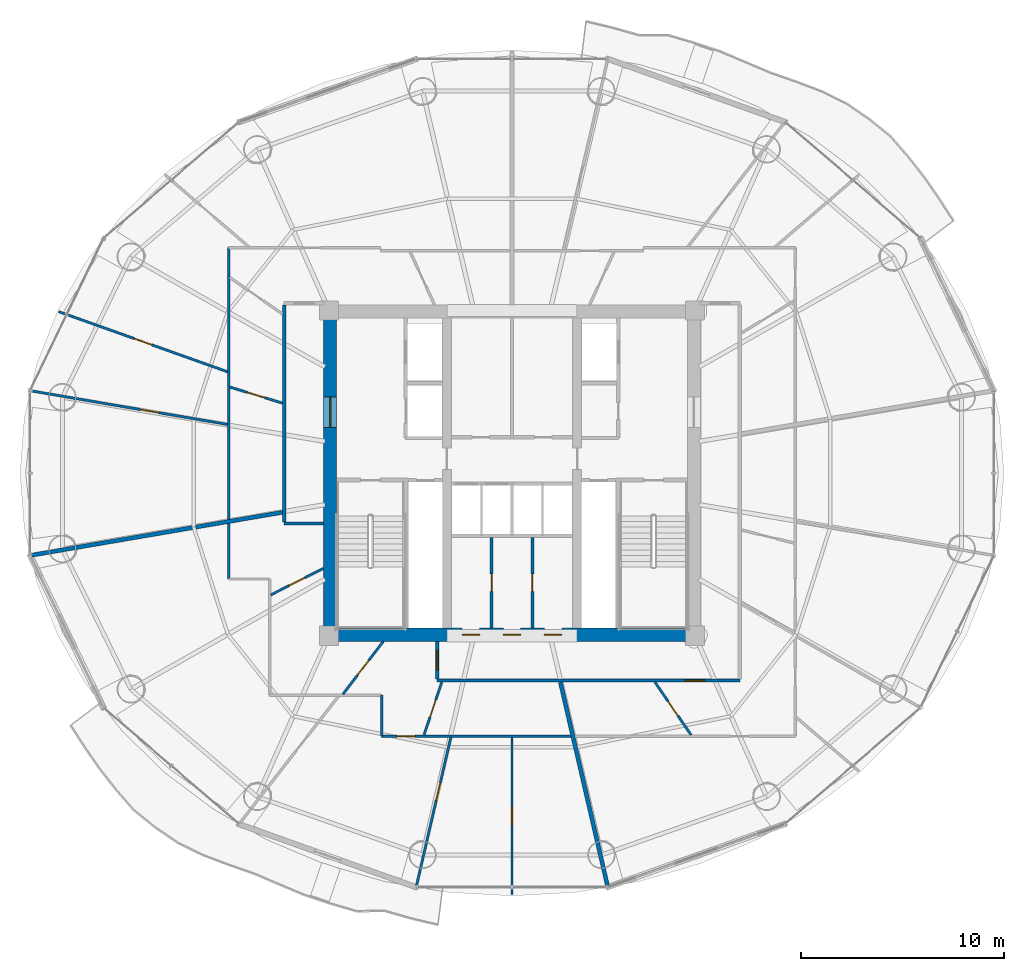
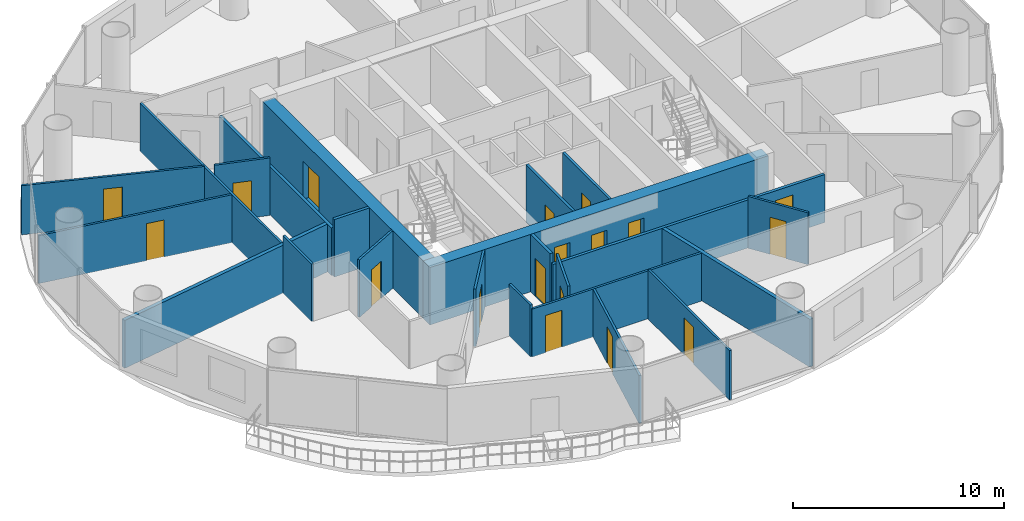
# One storey, part 20 of 26: 23 walls, 18 doors, 18 openings.
"""IFC4 building model written with IfcOpenShell, lengths in metres."""

from ifc_helpers import new_model, si_unit, direction, frame, frame_2d, origin, place, context, subcontext, project, spatial, rectangle, extrude, source, transform, mapped, material, layer, layer_set, type_object, element, fill, save


model = new_model("IFC4")

# Units and contexts
model_context = context("Model", 3, precision=1e-05, world=origin(), true_north=direction((-0.2419218956, 0.970295726276)))
body_context = subcontext(model_context, "Body", "Model", "MODEL_VIEW")
ifc_project = project(units=[si_unit("LENGTHUNIT", "METRE"), si_unit("AREAUNIT", "SQUARE_METRE"), si_unit("VOLUMEUNIT", "CUBIC_METRE"), si_unit("PLANEANGLEUNIT", "RADIAN"), si_unit("MASSUNIT", "GRAM", prefix="KILO")], contexts=[model_context])

# Site, building, storey
site_placement = place(None, origin())
site = spatial("IfcSite", under=ifc_project, at=site_placement, CompositionType="ELEMENT")
building_placement = place(site_placement, origin())
building = spatial("IfcBuilding", under=site, at=building_placement, Name="Cobrevalo Terracotta Tower", CompositionType="ELEMENT")
storey_placement = place(building_placement, frame((0.0, 0.0, 135.39990234375)))
storey = spatial("IfcBuildingStorey", under=building, at=storey_placement, Name="L35", CompositionType="ELEMENT", Elevation=135.39990234375)

# Wall, openings, doors
ifc_material_1 = material(Name="Concrete C55", Category="concrete")
ifc_layer_1 = layer(ifc_material_1, 0.64990234375)
ifc_layer_set_1 = layer_set([ifc_layer_1], Name="Concrete C55")
wall_type_1 = type_object("IfcWallType", Name="Core shear wall 650 mm Concrete C55", PredefinedType="SHEAR", material=ifc_layer_set_1)
wall_1_placement = place(storey_placement, frame((28.72509765625, 18.85009765625, 0.0), z_axis=(0.0, 0.0, 1.0), x_axis=(1.0, 0.0, 0.0)))
wall_1 = element("IfcWall", 1, at=wall_1_placement, inside=storey, type_object=wall_type_1, Name="L35 south core shear wall", PredefinedType="SHEAR", context=body_context, shape_type="SweptSolid", body=[
    extrude(rectangle(XDim=18.5498046875, YDim=0.64990234375, at=frame_2d((9.27490234375, 0.0))), origin(), (0.0, 0.0, 1.0), 3.330078125),
])
opening_1_placement = place(wall_1_placement, frame((6.827392578125, 0.0, 0.0)))
opening_1 = element("IfcOpeningElement", 2, at=opening_1_placement, cuts=wall_1, Name="Opening ID-22", PredefinedType="OPENING", context=body_context, shape_type="SweptSolid", body=[
    extrude(rectangle(XDim=0.85009765625, YDim=2.10009765625, at=frame_2d((0.425048828125, 1.050048828125))), frame((0.0, 0.3349609375, 0.0), z_axis=(0.0, -1.0, 0.0), x_axis=(1.0, 0.0, 0.0)), (0.0, 0.0, 1.0), 0.669921875),
])
opening_2_placement = place(wall_1_placement, frame((8.85009765625, 0.0, 0.0)))
opening_2 = element("IfcOpeningElement", 3, at=opening_2_placement, cuts=wall_1, Name="Opening ID-22", PredefinedType="OPENING", context=body_context, shape_type="SweptSolid", body=[
    extrude(rectangle(XDim=0.85009765625, YDim=2.10009765625, at=frame_2d((0.425048828125, 1.050048828125))), frame((0.0, 0.3349609375, 0.0), z_axis=(0.0, -1.0, 0.0), x_axis=(1.0, 0.0, 0.0)), (0.0, 0.0, 1.0), 0.669921875),
])
opening_3_placement = place(wall_1_placement, frame((10.87255859375, 0.0, 0.0)))
opening_3 = element("IfcOpeningElement", 4, at=opening_3_placement, cuts=wall_1, Name="Opening ID-22", PredefinedType="OPENING", context=body_context, shape_type="SweptSolid", body=[
    extrude(rectangle(XDim=0.85009765625, YDim=2.10009765625, at=frame_2d((0.425048828125, 1.050048828125))), frame((0.0, 0.3349609375, 0.0), z_axis=(0.0, -1.0, 0.0), x_axis=(1.0, 0.0, 0.0)), (0.0, 0.0, 1.0), 0.669921875),
])
ifc_material_2 = material(Name="Powder-coated steel", Category="steel")
door_type_1 = type_object("IfcDoorType", Name="Riser shaft & meter closet fire access door 850x2100 EI 60", OperationType="NOTDEFINED", PredefinedType="DOOR", material=ifc_material_2)
shared_shape_1 = source(origin(), body_context, "Body", "SweptSolid", [
    extrude(rectangle(XDim=0.85009765625, YDim=2.10009765625, at=frame_2d((0.425048828125, 1.050048828125))), frame((0.0, 0.02490234375, 0.0), z_axis=(0.0, -1.0, 0.0), x_axis=(1.0, 0.0, 0.0)), (0.0, 0.0, 1.0), 0.050048828125),
])
door_1_placement = place(opening_1_placement, origin())
door_1 = element("IfcDoor", 5, at=door_1_placement, inside=storey, type_object=door_type_1, Name="L35 core south plant door HVAC Supply Air Plant", OperationType="SINGLE_SWING_RIGHT", OverallHeight=2.10009765625, OverallWidth=0.85009765625, PredefinedType="DOOR", context=body_context, shape_type="MappedRepresentation", body=[
    mapped(shared_shape_1, transform((0.0, 0.0, 0.0), scale=1.0)),
])
fill(opening_1, door_1)
door_2_placement = place(opening_2_placement, origin())
door_2 = element("IfcDoor", 6, at=door_2_placement, inside=storey, type_object=door_type_1, Name="L35 core south plant door Refuse Chute Store Room", OperationType="SINGLE_SWING_RIGHT", OverallHeight=2.10009765625, OverallWidth=0.85009765625, PredefinedType="DOOR", context=body_context, shape_type="MappedRepresentation", body=[
    mapped(shared_shape_1, transform((0.0, 0.0, 0.0), scale=1.0)),
])
fill(opening_2, door_2)
door_3_placement = place(opening_3_placement, origin())
door_3 = element("IfcDoor", 7, at=door_3_placement, inside=storey, type_object=door_type_1, Name="L35 core south plant door Hydronic Pump Manifold Plant", OperationType="SINGLE_SWING_RIGHT", OverallHeight=2.10009765625, OverallWidth=0.85009765625, PredefinedType="DOOR", context=body_context, shape_type="MappedRepresentation", body=[
    mapped(shared_shape_1, transform((0.0, 0.0, 0.0), scale=1.0)),
])
fill(opening_3, door_3)

# Wall, opening, door
wall_2_placement = place(storey_placement, frame((29.050048828125, 19.175048828125, 0.0), z_axis=(0.0, 0.0, 1.0), x_axis=(0.0, 1.0, 0.0)))
wall_2 = element("IfcWall", 8, at=wall_2_placement, inside=storey, type_object=wall_type_1, Name="L35 west core shear wall", PredefinedType="SHEAR", context=body_context, shape_type="SweptSolid", body=[
    extrude(rectangle(XDim=15.25, YDim=0.64990234375, at=frame_2d((7.625, 0.0))), origin(), (0.0, 0.0, 1.0), 3.330078125),
])
opening_4_placement = place(wall_2_placement, frame((9.875, 0.0, 0.0)))
opening_4 = element("IfcOpeningElement", 9, at=opening_4_placement, cuts=wall_2, Name="Opening ID-14", PredefinedType="OPENING", context=body_context, shape_type="SweptSolid", body=[
    extrude(rectangle(XDim=1.5, YDim=2.199951171875, at=frame_2d((0.75, 1.10009765625))), frame((0.0, 0.3349609375, 0.0), z_axis=(0.0, -1.0, 0.0), x_axis=(1.0, 0.0, 0.0)), (0.0, 0.0, 1.0), 0.669921875),
])
ifc_material_3 = material(Name="Galvanized fire-rated steel", Category="steel")
door_type_2 = type_object("IfcDoorType", Name="Core cross-lobby double fire door 1500x2200 EI 90", OperationType="NOTDEFINED", PredefinedType="DOOR", material=ifc_material_3)
shared_shape_2 = source(origin(), body_context, "Body", "SweptSolid", [
    extrude(rectangle(XDim=1.5, YDim=2.199951171875, at=frame_2d((0.75, 1.10009765625))), frame((0.0, 0.02490234375, 0.0), z_axis=(0.0, -1.0, 0.0), x_axis=(1.0, 0.0, 0.0)), (0.0, 0.0, 1.0), 0.050048828125),
])
door_4_placement = place(opening_4_placement, origin())
door_4 = element("IfcDoor", 10, at=door_4_placement, inside=storey, type_object=door_type_2, Name="L35 west firefighting lobby entrance door", OperationType="DOUBLE_DOOR_SINGLE_SWING", OverallHeight=2.199951171875, OverallWidth=1.5, PredefinedType="DOOR", context=body_context, shape_type="MappedRepresentation", body=[
    mapped(shared_shape_2, transform((0.0, 0.0, 0.0), scale=1.0)),
])
fill(opening_4, door_4)

# Walls
ifc_material_4 = material(Name="Gypsum board on steel stud", Category="steel")
ifc_layer_2 = layer(ifc_material_4, 0.159912109375)
ifc_layer_set_2 = layer_set([ifc_layer_2], Name="Gypsum board on steel stud")
wall_type_2 = type_object("IfcWallType", Name="Fire-rated corridor acoustic partition wall 160 mm", PredefinedType="PARTITIONING", material=ifc_layer_set_2)
wall_3_placement = place(storey_placement, frame((26.794921875, 24.39990234375, 0.0), z_axis=(0.0, 0.0, 1.0), x_axis=(0.0, 1.0, 0.0)))
element("IfcWall", 11, at=wall_3_placement, inside=storey, type_object=wall_type_2, Name="L35 interior partition IW-L35-COR-W", PredefinedType="PARTITIONING", context=body_context, shape_type="SweptSolid", body=[
    extrude(rectangle(XDim=10.675048828125, YDim=0.159912109375, at=frame_2d((5.33740234375, 0.0))), origin(), (0.0, 0.0, 1.0), 2.776123046875),
])
wall_4_placement = place(storey_placement, frame((26.794921875, 24.320068359375, 0.0), z_axis=(0.0, 0.0, 1.0), x_axis=(1.0, 0.0, 0.0)))
element("IfcWall", 12, at=wall_4_placement, inside=storey, type_object=wall_type_2, Name="L35 interior partition IW-L35-COR-WS-CAP", PredefinedType="PARTITIONING", context=body_context, shape_type="SweptSolid", body=[
    extrude(rectangle(XDim=1.93017578125, YDim=0.159912109375, at=frame_2d((0.965087890625, 0.0))), origin(), (0.0, 0.0, 1.0), 3.330078125),
])

# Wall, opening, door
wall_5_placement = place(storey_placement, frame((34.320068359375, 16.594970703125, 0.0), z_axis=(0.0, 0.0, 1.0), x_axis=(1.0, 0.0, 0.0)))
wall_5 = element("IfcWall", 13, at=wall_5_placement, inside=storey, type_object=wall_type_2, Name="L35 interior partition IW-L35-COR-S", PredefinedType="PARTITIONING", context=body_context, shape_type="SweptSolid", body=[
    extrude(rectangle(XDim=14.885009765625, YDim=0.159912109375, at=frame_2d((7.4423828125, 0.0))), origin(), (0.0, 0.0, 1.0), 2.776123046875),
])
opening_5_placement = place(wall_5_placement, frame((12.17431640625, 0.0, 0.0)))
opening_5 = element("IfcOpeningElement", 14, at=opening_5_placement, cuts=wall_5, Name="Opening ID-05", PredefinedType="OPENING", context=body_context, shape_type="SweptSolid", body=[
    extrude(rectangle(XDim=0.97998046875, YDim=2.199951171875, at=frame_2d((0.489990234375, 1.10009765625))), frame((0.0, 0.08984375, 0.0), z_axis=(0.0, -1.0, 0.0), x_axis=(1.0, 0.0, 0.0)), (0.0, 0.0, 1.0), 0.179931640625),
])
ifc_material_5 = material(Name="Solid hardwood timber", Category="wood")
door_type_3 = type_object("IfcDoorType", Name="Residence entrance fire-rated acoustic timber door 980x2200 EI 60", OperationType="NOTDEFINED", PredefinedType="DOOR", material=ifc_material_5)
shared_shape_3 = source(origin(), body_context, "Body", "SweptSolid", [
    extrude(rectangle(XDim=0.97998046875, YDim=2.199951171875, at=frame_2d((0.489990234375, 1.10009765625))), frame((0.0, 0.02490234375, 0.0), z_axis=(0.0, -1.0, 0.0), x_axis=(1.0, 0.0, 0.0)), (0.0, 0.0, 1.0), 0.050048828125),
])
door_5_placement = place(opening_5_placement, origin())
door_5 = element("IfcDoor", 15, at=door_5_placement, inside=storey, type_object=door_type_3, Name="Flat L35D fire-rated apartment entrance door", OperationType="SINGLE_SWING_RIGHT", OverallHeight=2.199951171875, OverallWidth=0.97998046875, PredefinedType="DOOR", context=body_context, shape_type="MappedRepresentation", body=[
    mapped(shared_shape_3, transform((0.0, 0.0, 0.0), scale=1.0)),
])
fill(opening_5, door_5)

wall_6_placement = place(storey_placement, frame((34.320068359375, 16.675048828125, 0.0), z_axis=(0.0, 0.0, 1.0), x_axis=(0.0, 1.0, 0.0)))
wall_6 = element("IfcWall", 16, at=wall_6_placement, inside=storey, type_object=wall_type_2, Name="L35 interior partition IW-L35-COR-SW-CAP", PredefinedType="PARTITIONING", context=body_context, shape_type="SweptSolid", body=[
    extrude(rectangle(XDim=1.849853515625, YDim=0.159912109375, at=frame_2d((0.9248046875, 0.0))), origin(), (0.0, 0.0, 1.0), 3.330078125),
])
opening_6_placement = place(wall_6_placement, frame((0.43505859375, 0.0, 0.0)))
opening_6 = element("IfcOpeningElement", 17, at=opening_6_placement, cuts=wall_6, Name="Opening ID-05", PredefinedType="OPENING", context=body_context, shape_type="SweptSolid", body=[
    extrude(rectangle(XDim=0.97998046875, YDim=2.199951171875, at=frame_2d((0.489990234375, 1.10009765625))), frame((0.0, 0.08984375, 0.0), z_axis=(0.0, -1.0, 0.0), x_axis=(1.0, 0.0, 0.0)), (0.0, 0.0, 1.0), 0.179931640625),
])
door_6_placement = place(opening_6_placement, origin())
door_6 = element("IfcDoor", 18, at=door_6_placement, inside=storey, type_object=door_type_3, Name="Flat L35C fire-rated apartment entrance door", OperationType="SINGLE_SWING_RIGHT", OverallHeight=2.199951171875, OverallWidth=0.97998046875, PredefinedType="DOOR", context=body_context, shape_type="MappedRepresentation", body=[
    mapped(shared_shape_3, transform((0.0, 0.0, 0.0), scale=1.0)),
])
fill(opening_6, door_6)

# Walls
ifc_material_6 = material(Name="Autoclaved aerated concrete block", Category="concrete")
ifc_layer_3 = layer(ifc_material_6, 0.199951171875)
ifc_layer_set_3 = layer_set([ifc_layer_3], Name="Autoclaved aerated concrete block")
wall_type_3 = type_object("IfcWallType", Name="Fire-rated stair, shaft & demising masonry wall 200 mm", PredefinedType="PARTITIONING", material=ifc_layer_set_3)
wall_7_placement = place(storey_placement, frame((26.715087890625, 24.87060546875, 0.0), z_axis=(0.0, 0.0, 1.0), x_axis=(-0.985700184834, -0.168508592117, 0.0)))
element("IfcWall", 19, at=wall_7_placement, inside=storey, type_object=wall_type_3, Name="L35 interior partition IW-L35-DEM-3", PredefinedType="PARTITIONING", context=body_context, shape_type="SweptSolid", body=[
    extrude(rectangle(XDim=12.519287109375, YDim=0.199951171875, at=frame_2d((6.259765625, 0.0))), origin(), (0.0, 0.0, 1.0), 2.776123046875),
])
wall_8_placement = place(storey_placement, frame((40.380126953125, 16.514892578125, 0.0), z_axis=(0.0, 0.0, 1.0), x_axis=(0.225473598067, -0.974249278457, 0.0)))
element("IfcWall", 20, at=wall_8_placement, inside=storey, type_object=wall_type_3, Name="L35 interior partition IW-L35-DEM-4", PredefinedType="PARTITIONING", context=body_context, shape_type="SweptSolid", body=[
    extrude(rectangle(XDim=10.27783203125, YDim=0.199951171875, at=frame_2d((5.138916015625, 0.0))), origin(), (0.0, 0.0, 1.0), 2.776123046875),
])

# Wall, opening, door
ifc_layer_4 = layer(ifc_material_6, 0.139892578125)
ifc_layer_set_4 = layer_set([ifc_layer_4], Name="Autoclaved aerated concrete block")
wall_type_4 = type_object("IfcWallType", Name="Moisture-resistant wet-room & core service partition 140 mm", PredefinedType="PARTITIONING", material=ifc_layer_set_4)
wall_9_placement = place(storey_placement, frame((37.0, 19.175048828125, 0.0), z_axis=(0.0, 0.0, 1.0), x_axis=(0.0, 1.0, 0.0)))
wall_9 = element("IfcWall", 21, at=wall_9_placement, inside=storey, type_object=wall_type_4, Name="L35 interior partition IW-L35-KVS-V1", PredefinedType="PARTITIONING", context=body_context, shape_type="SweptSolid", body=[
    extrude(rectangle(XDim=4.46484375, YDim=0.139892578125, at=frame_2d((2.232421875, 0.0))), origin(), (0.0, 0.0, 1.0), 3.330078125),
])
opening_7_placement = place(wall_9_placement, frame((1.8076171875, 0.0, 0.0)))
opening_7 = element("IfcOpeningElement", 22, at=opening_7_placement, cuts=wall_9, Name="Opening ID-22", PredefinedType="OPENING", context=body_context, shape_type="SweptSolid", body=[
    extrude(rectangle(XDim=0.85009765625, YDim=2.10009765625, at=frame_2d((0.425048828125, 1.050048828125))), frame((0.0, 0.080078125, 0.0), z_axis=(0.0, -1.0, 0.0), x_axis=(1.0, 0.0, 0.0)), (0.0, 0.0, 1.0), 0.159912109375),
])
door_7_placement = place(opening_7_placement, origin())
door_7 = element("IfcDoor", 23, at=door_7_placement, inside=storey, type_object=door_type_1, Name="L35 core KVS-V1 inner door", OperationType="SINGLE_SWING_LEFT", OverallHeight=2.10009765625, OverallWidth=0.85009765625, PredefinedType="DOOR", context=body_context, shape_type="MappedRepresentation", body=[
    mapped(shared_shape_1, transform((0.0, 0.0, 0.0), scale=1.0)),
])
fill(opening_7, door_7)

wall_10_placement = place(storey_placement, frame((39.0, 19.175048828125, 0.0), z_axis=(0.0, 0.0, 1.0), x_axis=(0.0, 1.0, 0.0)))
wall_10 = element("IfcWall", 24, at=wall_10_placement, inside=storey, type_object=wall_type_4, Name="L35 interior partition IW-L35-KVS-V2", PredefinedType="PARTITIONING", context=body_context, shape_type="SweptSolid", body=[
    extrude(rectangle(XDim=4.46484375, YDim=0.139892578125, at=frame_2d((2.232421875, 0.0))), origin(), (0.0, 0.0, 1.0), 3.330078125),
])
opening_8_placement = place(wall_10_placement, frame((1.8076171875, 0.0, 0.0)))
opening_8 = element("IfcOpeningElement", 25, at=opening_8_placement, cuts=wall_10, Name="Opening ID-22", PredefinedType="OPENING", context=body_context, shape_type="SweptSolid", body=[
    extrude(rectangle(XDim=0.85009765625, YDim=2.10009765625, at=frame_2d((0.425048828125, 1.050048828125))), frame((0.0, 0.080078125, 0.0), z_axis=(0.0, -1.0, 0.0), x_axis=(1.0, 0.0, 0.0)), (0.0, 0.0, 1.0), 0.159912109375),
])
door_8_placement = place(opening_8_placement, origin())
door_8 = element("IfcDoor", 26, at=door_8_placement, inside=storey, type_object=door_type_1, Name="L35 core KVS-V2 inner door", OperationType="SINGLE_SWING_LEFT", OverallHeight=2.10009765625, OverallWidth=0.85009765625, PredefinedType="DOOR", context=body_context, shape_type="MappedRepresentation", body=[
    mapped(shared_shape_1, transform((0.0, 0.0, 0.0), scale=1.0)),
])
fill(opening_8, door_8)

# Wall
ifc_layer_5 = layer(ifc_material_4, 0.1201171875)
ifc_layer_set_5 = layer_set([ifc_layer_5], Name="Gypsum board on steel stud")
wall_type_5 = type_object("IfcWallType", Name="Residential internal acoustic stud partition 120 mm", PredefinedType="PARTITIONING", material=ifc_layer_set_5)
wall_11_placement = place(storey_placement, frame((24.06494140625, 24.51953125, 0.0), z_axis=(0.0, 0.0, 1.0), x_axis=(0.0, 1.0, 0.0)))
element("IfcWall", 27, at=wall_11_placement, inside=storey, type_object=wall_type_5, Name="L35 interior partition IW-L35-U2-RING0_0", PredefinedType="PARTITIONING", context=body_context, shape_type="SweptSolid", body=[
    extrude(rectangle(XDim=13.365478515625, YDim=0.1201171875, at=frame_2d((6.6826171875, 0.0))), origin(), (0.0, 0.0, 1.0), 2.776123046875),
])

# Wall, opening, door
wall_12_placement = place(storey_placement, frame((24.006591796875, 31.781982421875, 0.0), z_axis=(0.0, 0.0, 1.0), x_axis=(-0.942077868165, 0.335394231187, 0.0)))
wall_12 = element("IfcWall", 28, at=wall_12_placement, inside=storey, type_object=wall_type_5, Name="L35 interior partition IW-L35-U2-ORAD2", PredefinedType="PARTITIONING", context=body_context, shape_type="SweptSolid", body=[
    extrude(rectangle(XDim=8.816650390625, YDim=0.1201171875, at=frame_2d((4.408203125, 0.0))), origin(), (0.0, 0.0, 1.0), 2.84619140625),
])
opening_9_placement = place(wall_12_placement, frame((3.95849609375, 0.0, 0.0)))
opening_9 = element("IfcOpeningElement", 29, at=opening_9_placement, cuts=wall_12, Name="Opening ID-12", PredefinedType="OPENING", context=body_context, shape_type="SweptSolid", body=[
    extrude(rectangle(XDim=0.89990234375, YDim=2.14990234375, at=frame_2d((0.449951171875, 1.074951171875))), frame((0.0, 0.070068359375, 0.0), z_axis=(0.0, -1.0, 0.0), x_axis=(1.0, 0.0, 0.0)), (0.0, 0.0, 1.0), 0.14013671875),
])
ifc_material_7 = material(Name="Engineered timber", Category="wood")
door_type_4 = type_object("IfcDoorType", Name="Internal residence & suite timber door 900x2150", OperationType="NOTDEFINED", PredefinedType="DOOR", material=ifc_material_7)
shared_shape_4 = source(origin(), body_context, "Body", "SweptSolid", [
    extrude(rectangle(XDim=0.89990234375, YDim=2.14990234375, at=frame_2d((0.449951171875, 1.074951171875))), frame((0.0, 0.02490234375, 0.0), z_axis=(0.0, -1.0, 0.0), x_axis=(1.0, 0.0, 0.0)), (0.0, 0.0, 1.0), 0.050048828125),
])
door_9_placement = place(opening_9_placement, origin())
door_9 = element("IfcDoor", 30, at=door_9_placement, inside=storey, type_object=door_type_4, Name="Flat L35B Principal Guest Bedroom internal door", OperationType="SINGLE_SWING_RIGHT", OverallHeight=2.14990234375, OverallWidth=0.89990234375, PredefinedType="DOOR", context=body_context, shape_type="MappedRepresentation", body=[
    mapped(shared_shape_4, transform((0.0, 0.0, 0.0), scale=1.0)),
])
fill(opening_9, door_9)

wall_13_placement = place(storey_placement, frame((24.00390625, 29.19287109375, 0.0), z_axis=(0.0, 0.0, 1.0), x_axis=(-0.985698378271, 0.168519159369, 0.0)))
wall_13 = element("IfcWall", 31, at=wall_13_placement, inside=storey, type_object=wall_type_5, Name="L35 interior partition IW-L35-U2-ORAD3M1", PredefinedType="PARTITIONING", context=body_context, shape_type="SweptSolid", body=[
    extrude(rectangle(XDim=9.768798828125, YDim=0.1201171875, at=frame_2d((4.88427734375, 0.0))), origin(), (0.0, 0.0, 1.0), 2.776123046875),
])
opening_10_placement = place(wall_13_placement, frame((3.427734375, 0.0, 0.0)))
opening_10 = element("IfcOpeningElement", 32, at=opening_10_placement, cuts=wall_13, Name="Opening ID-12", PredefinedType="OPENING", context=body_context, shape_type="SweptSolid", body=[
    extrude(rectangle(XDim=0.89990234375, YDim=2.14990234375, at=frame_2d((0.449951171875, 1.074951171875))), frame((0.0, 0.070068359375, 0.0), z_axis=(0.0, -1.0, 0.0), x_axis=(1.0, 0.0, 0.0)), (0.0, 0.0, 1.0), 0.14013671875),
])
door_10_placement = place(opening_10_placement, origin())
door_10 = element("IfcDoor", 33, at=door_10_placement, inside=storey, type_object=door_type_4, Name="Flat L35B Penthouse Family Lounge internal door", OperationType="SINGLE_SWING_LEFT", OverallHeight=2.14990234375, OverallWidth=0.89990234375, PredefinedType="DOOR", context=body_context, shape_type="MappedRepresentation", body=[
    mapped(shared_shape_4, transform((0.0, 0.0, 0.0), scale=1.0)),
])
fill(opening_10, door_10)

wall_14_placement = place(storey_placement, frame((26.715087890625, 30.239013671875, 0.0), z_axis=(0.0, 0.0, 1.0), x_axis=(-0.956566832952, 0.291513111361, 0.0)))
wall_14 = element("IfcWall", 34, at=wall_14_placement, inside=storey, type_object=wall_type_5, Name="L35 interior partition IW-L35-U2-IRAD3", PredefinedType="PARTITIONING", context=body_context, shape_type="SweptSolid", body=[
    extrude(rectangle(XDim=2.70849609375, YDim=0.1201171875, at=frame_2d((1.354248046875, 0.0))), origin(), (0.0, 0.0, 1.0), 3.330078125),
])
opening_11_placement = place(wall_14_placement, frame((0.904296875, 0.0, 0.0)))
opening_11 = element("IfcOpeningElement", 35, at=opening_11_placement, cuts=wall_14, Name="Opening ID-12", PredefinedType="OPENING", context=body_context, shape_type="SweptSolid", body=[
    extrude(rectangle(XDim=0.89990234375, YDim=2.14990234375, at=frame_2d((0.449951171875, 1.074951171875))), frame((0.0, 0.070068359375, 0.0), z_axis=(0.0, -1.0, 0.0), x_axis=(1.0, 0.0, 0.0)), (0.0, 0.0, 1.0), 0.14013671875),
])
door_11_placement = place(opening_11_placement, origin())
door_11 = element("IfcDoor", 36, at=door_11_placement, inside=storey, type_object=door_type_4, Name="Flat L35B Private Library Meeting Room internal door", OperationType="SINGLE_SWING_RIGHT", OverallHeight=2.14990234375, OverallWidth=0.89990234375, PredefinedType="DOOR", context=body_context, shape_type="MappedRepresentation", body=[
    mapped(shared_shape_4, transform((0.0, 0.0, 0.0), scale=1.0)),
])
fill(opening_11, door_11)

wall_15_placement = place(storey_placement, frame((40.8916015625, 13.864990234375, 0.0), z_axis=(0.0, 0.0, 1.0), x_axis=(-1.0, 0.0, 0.0)))
wall_15 = element("IfcWall", 37, at=wall_15_placement, inside=storey, type_object=wall_type_5, Name="L35 interior partition IW-L35-U3-RING0_0", PredefinedType="PARTITIONING", context=body_context, shape_type="SweptSolid", body=[
    extrude(rectangle(XDim=9.301513671875, YDim=0.1201171875, at=frame_2d((4.65087890625, 0.0))), origin(), (0.0, 0.0, 1.0), 2.776123046875),
])
opening_12_placement = place(wall_15_placement, frame((7.652099609375, 0.0, 0.0)))
opening_12 = element("IfcOpeningElement", 38, at=opening_12_placement, cuts=wall_15, Name="Opening ID-12", PredefinedType="OPENING", context=body_context, shape_type="SweptSolid", body=[
    extrude(rectangle(XDim=0.89990234375, YDim=2.14990234375, at=frame_2d((0.449951171875, 1.074951171875))), frame((0.0, 0.070068359375, 0.0), z_axis=(0.0, -1.0, 0.0), x_axis=(1.0, 0.0, 0.0)), (0.0, 0.0, 1.0), 0.14013671875),
])
door_12_placement = place(opening_12_placement, origin())
door_12 = element("IfcDoor", 39, at=door_12_placement, inside=storey, type_object=door_type_4, Name="Flat L35C Master Bedroom internal door", OperationType="SINGLE_SWING_LEFT", OverallHeight=2.14990234375, OverallWidth=0.89990234375, PredefinedType="DOOR", context=body_context, shape_type="MappedRepresentation", body=[
    mapped(shared_shape_4, transform((0.0, 0.0, 0.0), scale=1.0)),
])
fill(opening_12, door_12)

# Walls
wall_16_placement = place(storey_placement, frame((31.590087890625, 13.864990234375, 0.0), z_axis=(0.0, 0.0, 1.0), x_axis=(0.0, 1.0, 0.0)))
element("IfcWall", 40, at=wall_16_placement, inside=storey, type_object=wall_type_5, Name="L35 interior partition IW-L35-U3-RING1_0", PredefinedType="PARTITIONING", context=body_context, shape_type="SweptSolid", body=[
    extrude(rectangle(XDim=2.010009765625, YDim=0.1201171875, at=frame_2d((1.0048828125, 0.0))), origin(), (0.0, 0.0, 1.0), 3.005126953125),
])
wall_17_placement = place(storey_placement, frame((24.06494140625, 21.590087890625, 0.0), z_axis=(0.0, 0.0, 1.0), x_axis=(0.0, 1.0, 0.0)))
element("IfcWall", 41, at=wall_17_placement, inside=storey, type_object=wall_type_5, Name="L35 interior partition IW-L35-U3-RING5_0", PredefinedType="PARTITIONING", context=body_context, shape_type="SweptSolid", body=[
    extrude(rectangle(XDim=2.7255859375, YDim=0.1201171875, at=frame_2d((1.36279296875, 0.0))), origin(), (0.0, 0.0, 1.0), 3.330078125),
])

# Wall, opening, door
wall_18_placement = place(storey_placement, frame((34.992431640625, 13.8046875, 0.0), z_axis=(0.0, 0.0, 1.0), x_axis=(-0.225447000045, -0.974255433739, 0.0)))
wall_18 = element("IfcWall", 42, at=wall_18_placement, inside=storey, type_object=wall_type_5, Name="L35 interior partition IW-L35-U3-ORAD2M1", PredefinedType="PARTITIONING", context=body_context, shape_type="SweptSolid", body=[
    extrude(rectangle(XDim=7.495849609375, YDim=0.1201171875, at=frame_2d((3.748046875, 0.0))), origin(), (0.0, 0.0, 1.0), 2.776123046875),
])
opening_13_placement = place(wall_18_placement, frame((2.288818359375, 0.0, 0.0)))
opening_13 = element("IfcOpeningElement", 43, at=opening_13_placement, cuts=wall_18, Name="Opening ID-12", PredefinedType="OPENING", context=body_context, shape_type="SweptSolid", body=[
    extrude(rectangle(XDim=0.89990234375, YDim=2.14990234375, at=frame_2d((0.449951171875, 1.074951171875))), frame((0.0, 0.070068359375, 0.0), z_axis=(0.0, -1.0, 0.0), x_axis=(1.0, 0.0, 0.0)), (0.0, 0.0, 1.0), 0.14013671875),
])
door_13_placement = place(opening_13_placement, origin())
door_13 = element("IfcDoor", 44, at=door_13_placement, inside=storey, type_object=door_type_4, Name="Flat L35C Penthouse Family Lounge internal door", OperationType="SINGLE_SWING_RIGHT", OverallHeight=2.14990234375, OverallWidth=0.89990234375, PredefinedType="DOOR", context=body_context, shape_type="MappedRepresentation", body=[
    mapped(shared_shape_4, transform((0.0, 0.0, 0.0), scale=1.0)),
])
fill(opening_13, door_13)

wall_19_placement = place(storey_placement, frame((38.0, 13.802978515625, 0.0), z_axis=(0.0, 0.0, 1.0), x_axis=(0.0, -1.0, 0.0)))
wall_19 = element("IfcWall", 45, at=wall_19_placement, inside=storey, type_object=wall_type_5, Name="L35 interior partition IW-L35-U3-ORAD2M2", PredefinedType="PARTITIONING", context=body_context, shape_type="SweptSolid", body=[
    extrude(rectangle(XDim=7.742919921875, YDim=0.1201171875, at=frame_2d((3.87158203125, 0.0))), origin(), (0.0, 0.0, 1.0), 2.84619140625),
])
opening_14_placement = place(wall_19_placement, frame((3.42138671875, 0.0, 0.0)))
opening_14 = element("IfcOpeningElement", 46, at=opening_14_placement, cuts=wall_19, Name="Opening ID-12", PredefinedType="OPENING", context=body_context, shape_type="SweptSolid", body=[
    extrude(rectangle(XDim=0.89990234375, YDim=2.14990234375, at=frame_2d((0.449951171875, 1.074951171875))), frame((0.0, 0.070068359375, 0.0), z_axis=(0.0, -1.0, 0.0), x_axis=(1.0, 0.0, 0.0)), (0.0, 0.0, 1.0), 0.14013671875),
])
door_14_placement = place(opening_14_placement, origin())
door_14 = element("IfcDoor", 47, at=door_14_placement, inside=storey, type_object=door_type_4, Name="Flat L35C Penthouse Family Lounge internal door", OperationType="SINGLE_SWING_LEFT", OverallHeight=2.14990234375, OverallWidth=0.89990234375, PredefinedType="DOOR", context=body_context, shape_type="MappedRepresentation", body=[
    mapped(shared_shape_4, transform((0.0, 0.0, 0.0), scale=1.0)),
])
fill(opening_14, door_14)

wall_20_placement = place(storey_placement, frame((28.72314453125, 22.1142578125, 0.0), z_axis=(0.0, 0.0, 1.0), x_axis=(-0.892604354588, -0.450840843504, 0.0)))
wall_20 = element("IfcWall", 48, at=wall_20_placement, inside=storey, type_object=wall_type_5, Name="L35 interior partition IW-L35-U3-IRAD1", PredefinedType="PARTITIONING", context=body_context, shape_type="SweptSolid", body=[
    extrude(rectangle(XDim=2.90478515625, YDim=0.1201171875, at=frame_2d((1.452392578125, 0.0))), origin(), (0.0, 0.0, 1.0), 3.330078125),
])
opening_15_placement = place(wall_20_placement, frame((1.0224609375, 0.0, 0.0)))
opening_15 = element("IfcOpeningElement", 49, at=opening_15_placement, cuts=wall_20, Name="Opening ID-19", PredefinedType="OPENING", context=body_context, shape_type="SweptSolid", body=[
    extrude(rectangle(XDim=0.860107421875, YDim=2.14990234375, at=frame_2d((0.43017578125, 1.074951171875))), frame((0.0, 0.070068359375, 0.0), z_axis=(0.0, -1.0, 0.0), x_axis=(1.0, 0.0, 0.0)), (0.0, 0.0, 1.0), 0.14013671875),
])
ifc_material_8 = material(Name="Moisture-sealed timber", Category="wood")
door_type_5 = type_object("IfcDoorType", Name="Suite bathroom internal timber door 860x2150", OperationType="NOTDEFINED", PredefinedType="DOOR", material=ifc_material_8)
shared_shape_5 = source(origin(), body_context, "Body", "SweptSolid", [
    extrude(rectangle(XDim=0.860107421875, YDim=2.14990234375, at=frame_2d((0.43017578125, 1.074951171875))), frame((0.0, 0.02490234375, 0.0), z_axis=(0.0, -1.0, 0.0), x_axis=(1.0, 0.0, 0.0)), (0.0, 0.0, 1.0), 0.050048828125),
])
door_15_placement = place(opening_15_placement, frame((0.860107421875, 0.0, 0.0), z_axis=(0.0, 0.0, 1.0), x_axis=(-1.0, 0.0, 0.0)))
door_15 = element("IfcDoor", 50, at=door_15_placement, inside=storey, type_object=door_type_5, Name="Flat L35C Primary Bathroom internal door", OperationType="SINGLE_SWING_RIGHT", OverallHeight=2.14990234375, OverallWidth=0.860107421875, PredefinedType="DOOR", context=body_context, shape_type="MappedRepresentation", body=[
    mapped(shared_shape_5, transform((0.0, 0.0, 0.0), scale=1.0)),
])
fill(opening_15, door_15)

wall_21_placement = place(storey_placement, frame((31.673583984375, 18.52490234375, 0.0), z_axis=(0.0, 0.0, 1.0), x_axis=(-0.607372594471, -0.794417101708, 0.0)))
wall_21 = element("IfcWall", 51, at=wall_21_placement, inside=storey, type_object=wall_type_5, Name="L35 interior partition IW-L35-U3-IRAD2", PredefinedType="PARTITIONING", context=body_context, shape_type="SweptSolid", body=[
    extrude(rectangle(XDim=3.273681640625, YDim=0.1201171875, at=frame_2d((1.63671875, 0.0))), origin(), (0.0, 0.0, 1.0), 3.330078125),
])
opening_16_placement = place(wall_21_placement, frame((1.18701171875, 0.0, 0.0)))
opening_16 = element("IfcOpeningElement", 52, at=opening_16_placement, cuts=wall_21, Name="Opening ID-12", PredefinedType="OPENING", context=body_context, shape_type="SweptSolid", body=[
    extrude(rectangle(XDim=0.89990234375, YDim=2.14990234375, at=frame_2d((0.449951171875, 1.074951171875))), frame((0.0, 0.070068359375, 0.0), z_axis=(0.0, -1.0, 0.0), x_axis=(1.0, 0.0, 0.0)), (0.0, 0.0, 1.0), 0.14013671875),
])
door_16_placement = place(opening_16_placement, frame((0.89990234375, 0.0, 0.0), z_axis=(0.0, 0.0, 1.0), x_axis=(-1.0, 0.0, 0.0)))
door_16 = element("IfcDoor", 53, at=door_16_placement, inside=storey, type_object=door_type_4, Name="Flat L35C Reception Hallway internal door", OperationType="SINGLE_SWING_LEFT", OverallHeight=2.14990234375, OverallWidth=0.89990234375, PredefinedType="DOOR", context=body_context, shape_type="MappedRepresentation", body=[
    mapped(shared_shape_4, transform((0.0, 0.0, 0.0), scale=1.0)),
])
fill(opening_16, door_16)

wall_22_placement = place(storey_placement, frame((34.54541015625, 16.514892578125, 0.0), z_axis=(0.0, 0.0, 1.0), x_axis=(-0.318424178642, -0.947948333221, 0.0)))
wall_22 = element("IfcWall", 54, at=wall_22_placement, inside=storey, type_object=wall_type_5, Name="L35 interior partition IW-L35-U3-IRAD3", PredefinedType="PARTITIONING", context=body_context, shape_type="SweptSolid", body=[
    extrude(rectangle(XDim=2.7333984375, YDim=0.1201171875, at=frame_2d((1.36669921875, 0.0))), origin(), (0.0, 0.0, 1.0), 3.330078125),
])
opening_17_placement = place(wall_22_placement, frame((0.916748046875, 0.0, 0.0)))
opening_17 = element("IfcOpeningElement", 55, at=opening_17_placement, cuts=wall_22, Name="Opening ID-12", PredefinedType="OPENING", context=body_context, shape_type="SweptSolid", body=[
    extrude(rectangle(XDim=0.89990234375, YDim=2.14990234375, at=frame_2d((0.449951171875, 1.074951171875))), frame((0.0, 0.070068359375, 0.0), z_axis=(0.0, -1.0, 0.0), x_axis=(1.0, 0.0, 0.0)), (0.0, 0.0, 1.0), 0.14013671875),
])
door_17_placement = place(opening_17_placement, origin())
door_17 = element("IfcDoor", 56, at=door_17_placement, inside=storey, type_object=door_type_4, Name="Flat L35C Private Library Meeting Room internal door", OperationType="SINGLE_SWING_RIGHT", OverallHeight=2.14990234375, OverallWidth=0.89990234375, PredefinedType="DOOR", context=body_context, shape_type="MappedRepresentation", body=[
    mapped(shared_shape_4, transform((0.0, 0.0, 0.0), scale=1.0)),
])
fill(opening_17, door_17)

wall_23_placement = place(storey_placement, frame((45.031982421875, 16.514892578125, 0.0), z_axis=(0.0, 0.0, 1.0), x_axis=(0.564486512722, -0.825442291717, 0.0)))
wall_23 = element("IfcWall", 57, at=wall_23_placement, inside=storey, type_object=wall_type_5, Name="L35 interior partition IW-L35-U4-IRAD1", PredefinedType="PARTITIONING", context=body_context, shape_type="SweptSolid", body=[
    extrude(rectangle(XDim=3.148193359375, YDim=0.1201171875, at=frame_2d((1.57421875, 0.0))), origin(), (0.0, 0.0, 1.0), 3.005126953125),
])
opening_18_placement = place(wall_23_placement, frame((1.14404296875, 0.0, 0.0)))
opening_18 = element("IfcOpeningElement", 58, at=opening_18_placement, cuts=wall_23, Name="Opening ID-19", PredefinedType="OPENING", context=body_context, shape_type="SweptSolid", body=[
    extrude(rectangle(XDim=0.860107421875, YDim=2.14990234375, at=frame_2d((0.43017578125, 1.074951171875))), frame((0.0, 0.070068359375, 0.0), z_axis=(0.0, -1.0, 0.0), x_axis=(1.0, 0.0, 0.0)), (0.0, 0.0, 1.0), 0.14013671875),
])
door_18_placement = place(opening_18_placement, frame((0.860107421875, 0.0, 0.0), z_axis=(0.0, 0.0, 1.0), x_axis=(-1.0, 0.0, 0.0)))
door_18 = element("IfcDoor", 59, at=door_18_placement, inside=storey, type_object=door_type_5, Name="Flat L35D Primary Bathroom internal door", OperationType="SINGLE_SWING_LEFT", OverallHeight=2.14990234375, OverallWidth=0.860107421875, PredefinedType="DOOR", context=body_context, shape_type="MappedRepresentation", body=[
    mapped(shared_shape_5, transform((0.0, 0.0, 0.0), scale=1.0)),
])
fill(opening_18, door_18)

save(model, "model.ifc")
